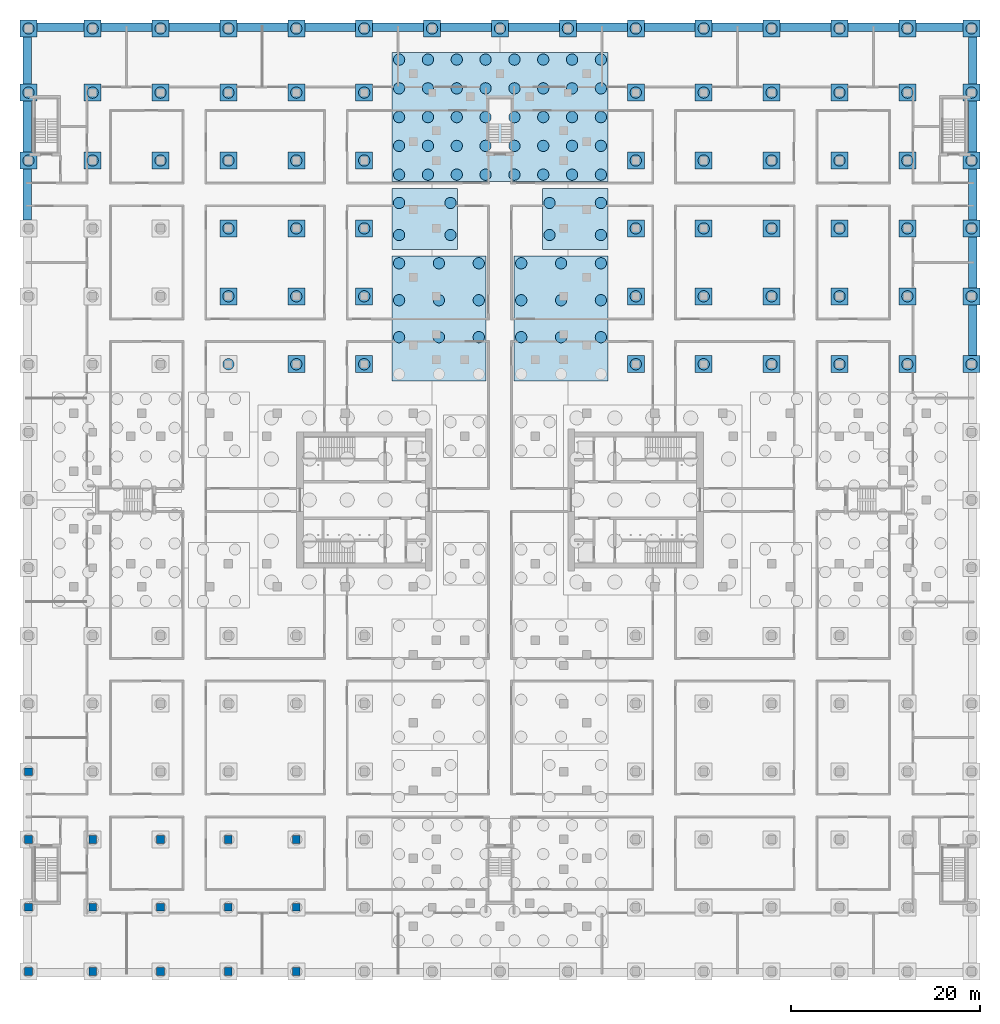
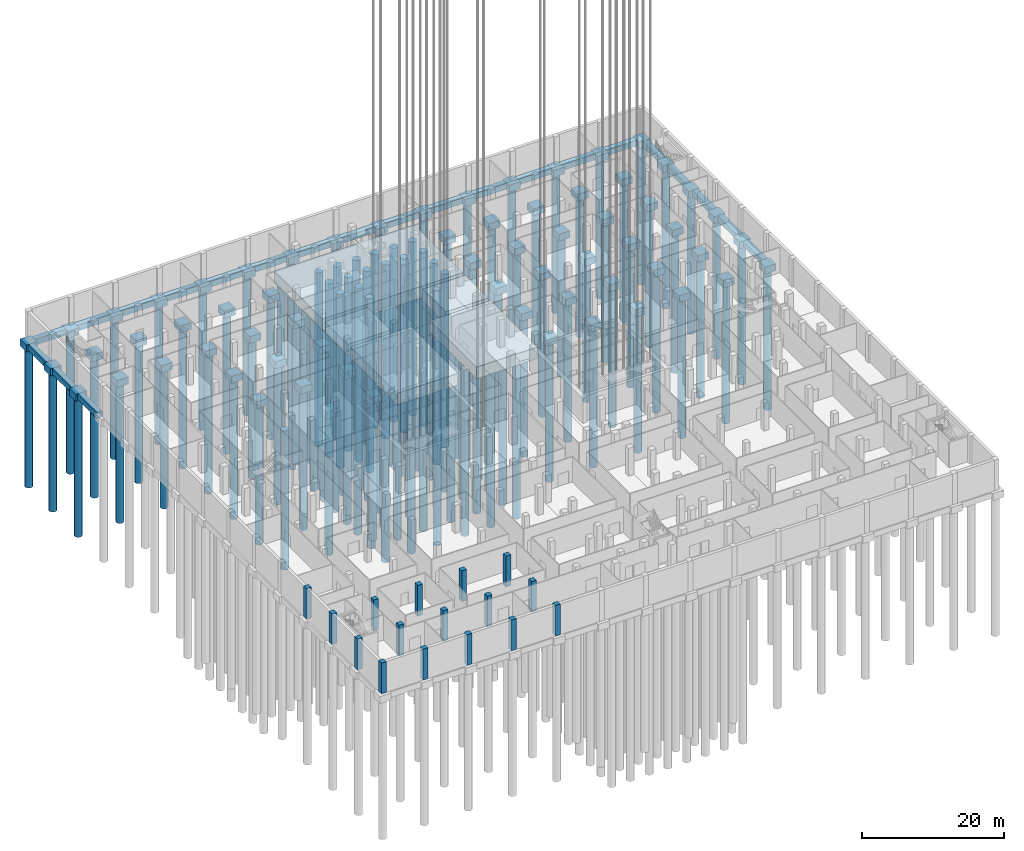
# One storey, part 3 of 54: 132 piles, 92 footings, 16 columns.
"""IFC4 building model written with IfcOpenShell, lengths in metres."""

from ifc_helpers import new_model, si_unit, direction, frame, origin, origin_2d, place, context, subcontext, project, spatial, rectangle, circle, extrude, material, material_profile, profile_set, type_object, element, save


model = new_model("IFC4")

# Units and contexts
model_context = context("Model", 3, precision=1e-05, world=origin(), true_north=direction((0.0, 1.0)))
body_context = subcontext(model_context, "Body", "Model", "MODEL_VIEW")
ifc_project = project(units=[si_unit("LENGTHUNIT", "METRE"), si_unit("AREAUNIT", "SQUARE_METRE"), si_unit("VOLUMEUNIT", "CUBIC_METRE"), si_unit("PLANEANGLEUNIT", "RADIAN"), si_unit("MASSUNIT", "GRAM", prefix="KILO")], contexts=[model_context])

# Site, building, storey
site_placement = place(None, origin())
site = spatial("IfcSite", under=ifc_project, at=site_placement, CompositionType="ELEMENT")
building_placement = place(site_placement, origin())
building = spatial("IfcBuilding", under=site, at=building_placement, Name="Fustian Cross Tower", CompositionType="ELEMENT")
storey_placement = place(building_placement, frame((0.0, 0.0, -4.800048828125)))
storey = spatial("IfcBuildingStorey", under=building, at=storey_placement, Name="B1", CompositionType="ELEMENT", Elevation=-4.800048828125)

# Piles
ifc_material_1 = material(Name="Concrete C40/50", Category="concrete")
ifc_material_profile_1 = material_profile(ifc_material_1, circle(Radius=0.60009765625, at=origin_2d()), Name="BORED PILE D1200 L24000")
ifc_profile_set_1 = profile_set([ifc_material_profile_1], Name="Concrete C40/50")
pile_type_1 = type_object("IfcPileType", Name="BORED PILE D1200 L24000", PredefinedType="BORED", material=ifc_profile_set_1)
for number, where, z_axis, x_axis, name in (
    (1, (-50.0, 36.0, -1.599853515625), (0.0, 0.0, -1.0), (1.0, 0.0, 0.0), "PILE 013-01"),
    (2, (-50.0, 43.199951171875, -1.599853515625), (0.0, 0.0, -1.0), (1.0, 0.0, 0.0), "PILE 014-01"),
    (3, (-50.0, 50.0, -1.599853515625), (0.0, 0.0, -1.0), (1.0, 0.0, 0.0), "PILE 015-01"),
    (4, (-43.199951171875, 36.0, -1.599853515625), (0.0, 0.0, -1.0), (1.0, 0.0, 0.0), "PILE 027-01"),
    (5, (-43.199951171875, 43.199951171875, -1.599853515625), (0.0, 0.0, -1.0), (1.0, 0.0, 0.0), "PILE 028-01"),
    (6, (-43.199951171875, 50.0, -1.599853515625), (0.0, 0.0, -1.0), (1.0, 0.0, 0.0), "PILE 029-01"),
    (7, (-36.0, 36.0, -1.599853515625), (0.0, 0.0, -1.0), (1.0, 0.0, 0.0), "PILE 039-01"),
    (8, (-36.0, 43.199951171875, -1.599853515625), (0.0, 0.0, -1.0), (1.0, 0.0, 0.0), "PILE 040-01"),
    (9, (-36.0, 50.0, -1.599853515625), (0.0, 0.0, -1.0), (1.0, 0.0, 0.0), "PILE 041-01"),
    (10, (-28.800048828125, 14.39990234375, -1.599853515625), (0.0, 0.0, -1.0), (1.0, 0.0, 0.0), "PILE 050-01"),
    (11, (-28.800048828125, 21.60009765625, -1.599853515625), (0.0, 0.0, -1.0), (1.0, 0.0, 0.0), "PILE 051-01"),
    (12, (-28.800048828125, 28.800048828125, -1.599853515625), (0.0, 0.0, -1.0), (1.0, 0.0, 0.0), "PILE 052-01"),
    (13, (-28.800048828125, 36.0, -1.599853515625), (0.0, 0.0, -1.0), (1.0, 0.0, 0.0), "PILE 053-01"),
    (14, (-28.800048828125, 43.199951171875, -1.599853515625), (0.0, 0.0, -1.0), (1.0, 0.0, 0.0), "PILE 054-01"),
    (15, (-28.800048828125, 50.0, -1.599853515625), (0.0, 0.0, -1.0), (1.0, 0.0, 0.0), "PILE 055-01"),
    (16, (-21.60009765625, 14.39990234375, -1.599853515625), (0.0, 0.0, -1.0), (1.0, 0.0, 0.0), "PILE 062-01"),
    (17, (-21.60009765625, 21.60009765625, -1.599853515625), (0.0, 0.0, -1.0), (1.0, 0.0, 0.0), "PILE 063-01"),
    (18, (-21.60009765625, 28.800048828125, -1.599853515625), (0.0, 0.0, -1.0), (1.0, 0.0, 0.0), "PILE 064-01"),
    (19, (-21.60009765625, 36.0, -1.599853515625), (0.0, 0.0, -1.0), (1.0, 0.0, 0.0), "PILE 065-01"),
    (20, (-21.60009765625, 43.199951171875, -1.599853515625), (0.0, 0.0, -1.0), (1.0, 0.0, 0.0), "PILE 066-01"),
    (21, (-21.60009765625, 50.0, -1.599853515625), (0.0, 0.0, -1.0), (1.0, 0.0, 0.0), "PILE 067-01"),
    (22, (-14.39990234375, 14.39990234375, -1.599853515625), (0.0, 0.0, -1.0), (1.0, 0.0, 0.0), "PILE 074-01"),
    (23, (-14.39990234375, 21.60009765625, -1.599853515625), (0.0, 0.0, -1.0), (1.0, 0.0, 0.0), "PILE 075-01"),
    (24, (-14.39990234375, 28.800048828125, -1.599853515625), (0.0, 0.0, -1.0), (1.0, 0.0, 0.0), "PILE 076-01"),
    (25, (-14.39990234375, 36.0, -1.599853515625), (0.0, 0.0, -1.0), (1.0, 0.0, 0.0), "PILE 077-01"),
    (26, (-14.39990234375, 43.199951171875, -1.599853515625), (0.0, 0.0, -1.0), (1.0, 0.0, 0.0), "PILE 078-01"),
    (27, (-14.39990234375, 50.0, -1.599853515625), (0.0, 0.0, -1.0), (1.0, 0.0, 0.0), "PILE 079-01"),
    (28, (-7.199951171875, 50.0, -1.599853515625), (0.0, 0.0, -1.0), (1.0, 0.0, 0.0), "PILE 087-01"),
    (29, (0.0, 50.0, -1.599853515625), (0.0, 0.0, -1.0), (1.0, 0.0, 0.0), "PILE 091-01"),
    (30, (7.199951171875, 50.0, -1.599853515625), (0.0, 0.0, -1.0), (1.0, 0.0, 0.0), "PILE 099-01"),
    (31, (14.39990234375, 14.39990234375, -1.599853515625), (0.0, 0.0, -1.0), (1.0, 0.0, 0.0), "PILE 106-01"),
    (32, (14.39990234375, 21.60009765625, -1.599853515625), (0.0, 0.0, -1.0), (1.0, 0.0, 0.0), "PILE 107-01"),
    (33, (14.39990234375, 28.800048828125, -1.599853515625), (0.0, 0.0, -1.0), (1.0, 0.0, 0.0), "PILE 108-01"),
    (34, (14.39990234375, 36.0, -1.599853515625), (0.0, 0.0, -1.0), (1.0, 0.0, 0.0), "PILE 109-01"),
    (35, (14.39990234375, 43.199951171875, -1.599853515625), (0.0, 0.0, -1.0), (1.0, 0.0, 0.0), "PILE 110-01"),
    (36, (14.39990234375, 50.0, -1.599853515625), (0.0, 0.0, -1.0), (1.0, 0.0, 0.0), "PILE 111-01"),
    (37, (21.60009765625, 14.39990234375, -1.599853515625), (0.0, 0.0, -1.0), (1.0, 0.0, 0.0), "PILE 118-01"),
    (38, (21.60009765625, 21.60009765625, -1.599853515625), (0.0, 0.0, -1.0), (1.0, 0.0, 0.0), "PILE 119-01"),
    (39, (21.60009765625, 28.800048828125, -1.599853515625), (0.0, 0.0, -1.0), (1.0, 0.0, 0.0), "PILE 120-01"),
    (40, (21.60009765625, 36.0, -1.599853515625), (0.0, 0.0, -1.0), (1.0, 0.0, 0.0), "PILE 121-01"),
    (41, (21.60009765625, 43.199951171875, -1.599853515625), (0.0, 0.0, -1.0), (1.0, 0.0, 0.0), "PILE 122-01"),
    (42, (21.60009765625, 50.0, -1.599853515625), (0.0, 0.0, -1.0), (1.0, 0.0, 0.0), "PILE 123-01"),
    (43, (28.800048828125, 14.39990234375, -1.599853515625), (0.0, 0.0, -1.0), (1.0, 0.0, 0.0), "PILE 132-01"),
    (44, (28.800048828125, 21.60009765625, -1.599853515625), (0.0, 0.0, -1.0), (1.0, 0.0, 0.0), "PILE 133-01"),
    (45, (28.800048828125, 28.800048828125, -1.599853515625), (0.0, 0.0, -1.0), (1.0, 0.0, 0.0), "PILE 134-01"),
    (46, (28.800048828125, 36.0, -1.599853515625), (0.0, 0.0, -1.0), (1.0, 0.0, 0.0), "PILE 135-01"),
    (47, (28.800048828125, 43.199951171875, -1.599853515625), (0.0, 0.0, -1.0), (1.0, 0.0, 0.0), "PILE 136-01"),
    (48, (28.800048828125, 50.0, -1.599853515625), (0.0, 0.0, -1.0), (1.0, 0.0, 0.0), "PILE 137-01"),
    (49, (36.0, 14.39990234375, -1.599853515625), (0.0, 0.0, -1.0), (1.0, 0.0, 0.0), "PILE 145-01"),
    (50, (36.0, 21.60009765625, -1.599853515625), (0.0, 0.0, -1.0), (1.0, 0.0, 0.0), "PILE 146-01"),
    (51, (36.0, 28.800048828125, -1.599853515625), (0.0, 0.0, -1.0), (1.0, 0.0, 0.0), "PILE 147-01"),
    (52, (36.0, 36.0, -1.599853515625), (0.0, 0.0, -1.0), (1.0, 0.0, 0.0), "PILE 148-01"),
    (53, (36.0, 43.199951171875, -1.599853515625), (0.0, 0.0, -1.0), (1.0, 0.0, 0.0), "PILE 149-01"),
    (54, (36.0, 50.0, -1.599853515625), (0.0, 0.0, -1.0), (1.0, 0.0, 0.0), "PILE 150-01"),
    (55, (43.199951171875, 14.39990234375, -1.599853515625), (0.0, 0.0, -1.0), (1.0, 0.0, 0.0), "PILE 157-01"),
    (56, (43.199951171875, 21.60009765625, -1.599853515625), (0.0, 0.0, -1.0), (1.0, 0.0, 0.0), "PILE 158-01"),
    (57, (43.199951171875, 28.800048828125, -1.599853515625), (0.0, 0.0, -1.0), (1.0, 0.0, 0.0), "PILE 159-01"),
    (58, (43.199951171875, 36.0, -1.599853515625), (0.0, 0.0, -1.0), (1.0, 0.0, 0.0), "PILE 160-01"),
    (59, (43.199951171875, 43.199951171875, -1.599853515625), (0.0, 0.0, -1.0), (1.0, 0.0, 0.0), "PILE 161-01"),
    (60, (43.199951171875, 50.0, -1.599853515625), (0.0, 0.0, -1.0), (1.0, 0.0, 0.0), "PILE 162-01"),
    (61, (50.0, 14.39990234375, -1.599853515625), (0.0, 0.0, -1.0), (1.0, 0.0, 0.0), "PILE 172-01"),
    (62, (50.0, 21.60009765625, -1.599853515625), (0.0, 0.0, -1.0), (1.0, 0.0, 0.0), "PILE 173-01"),
    (63, (50.0, 28.800048828125, -1.599853515625), (0.0, 0.0, -1.0), (1.0, 0.0, 0.0), "PILE 174-01"),
    (64, (50.0, 36.0, -1.599853515625), (0.0, 0.0, -1.0), (1.0, 0.0, 0.0), "PILE 175-01"),
    (65, (50.0, 43.199951171875, -1.599853515625), (0.0, 0.0, -1.0), (1.0, 0.0, 0.0), "PILE 176-01"),
    (66, (50.0, 50.0, -1.599853515625), (0.0, 0.0, -1.0), (1.0, 0.0, 0.0), "PILE 177-01"),
):
    element("IfcPile", number, at=place(storey_placement, frame(where, z_axis=z_axis, x_axis=x_axis)), inside=storey, type_object=pile_type_1, Name=name, PredefinedType="BORED", context=body_context, shape_type="SweptSolid", body=[
        extrude(circle(Radius=0.60009765625, at=origin_2d()), origin(), (0.0, 0.0, 1.0), 24.0),
    ])
ifc_material_2 = material(Name="Concrete C40/50", Category="concrete")
ifc_material_profile_2 = material_profile(ifc_material_2, circle(Radius=0.60009765625, at=origin_2d()), Name="BORED PILE D1200 L30000")
ifc_profile_set_2 = profile_set([ifc_material_profile_2], Name="Concrete C40/50")
pile_type_2 = type_object("IfcPileType", Name="BORED PILE D1200 L30000", PredefinedType="BORED", material=ifc_profile_set_2)
for number, where, z_axis, x_axis, name in (
    (67, (-10.699951171875, 17.2666015625, -2.39990234375), (0.0, 0.0, -1.0), (1.0, 0.0, 0.0), "PILE 083-02"),
    (68, (-10.699951171875, 21.183349609375, -2.39990234375), (0.0, 0.0, -1.0), (1.0, 0.0, 0.0), "PILE 083-03"),
    (69, (-10.699951171875, 25.10009765625, -2.39990234375), (0.0, 0.0, -1.0), (1.0, 0.0, 0.0), "PILE 083-04"),
    (70, (-6.47509765625, 17.2666015625, -2.39990234375), (0.0, 0.0, -1.0), (1.0, 0.0, 0.0), "PILE 083-06"),
    (71, (-6.47509765625, 21.183349609375, -2.39990234375), (0.0, 0.0, -1.0), (1.0, 0.0, 0.0), "PILE 083-07"),
    (72, (-6.47509765625, 25.10009765625, -2.39990234375), (0.0, 0.0, -1.0), (1.0, 0.0, 0.0), "PILE 083-08"),
    (73, (-2.25, 17.2666015625, -2.39990234375), (0.0, 0.0, -1.0), (1.0, 0.0, 0.0), "PILE 083-10"),
    (74, (-2.25, 21.183349609375, -2.39990234375), (0.0, 0.0, -1.0), (1.0, 0.0, 0.0), "PILE 083-11"),
    (75, (-2.25, 25.10009765625, -2.39990234375), (0.0, 0.0, -1.0), (1.0, 0.0, 0.0), "PILE 083-12"),
    (76, (-10.699951171875, 28.10009765625, -2.39990234375), (0.0, 0.0, -1.0), (1.0, 0.0, 0.0), "PILE 084-01"),
    (77, (-10.699951171875, 31.5, -2.39990234375), (0.0, 0.0, -1.0), (1.0, 0.0, 0.0), "PILE 084-02"),
    (78, (-5.25, 28.10009765625, -2.39990234375), (0.0, 0.0, -1.0), (1.0, 0.0, 0.0), "PILE 084-03"),
    (79, (-5.25, 31.5, -2.39990234375), (0.0, 0.0, -1.0), (1.0, 0.0, 0.0), "PILE 084-04"),
    (80, (-10.699951171875, 34.5, -2.39990234375), (0.0, 0.0, -1.0), (1.0, 0.0, 0.0), "PILE 085-01"),
    (81, (-10.699951171875, 37.550048828125, -2.39990234375), (0.0, 0.0, -1.0), (1.0, 0.0, 0.0), "PILE 085-02"),
    (82, (-10.699951171875, 40.60009765625, -2.39990234375), (0.0, 0.0, -1.0), (1.0, 0.0, 0.0), "PILE 085-03"),
    (83, (-10.699951171875, 43.64990234375, -2.39990234375), (0.0, 0.0, -1.0), (1.0, 0.0, 0.0), "PILE 085-04"),
    (84, (-10.699951171875, 46.699951171875, -2.39990234375), (0.0, 0.0, -1.0), (1.0, 0.0, 0.0), "PILE 085-05"),
    (85, (-7.642822265625, 34.5, -2.39990234375), (0.0, 0.0, -1.0), (1.0, 0.0, 0.0), "PILE 085-06"),
    (86, (-7.642822265625, 37.550048828125, -2.39990234375), (0.0, 0.0, -1.0), (1.0, 0.0, 0.0), "PILE 085-07"),
    (87, (-7.642822265625, 40.60009765625, -2.39990234375), (0.0, 0.0, -1.0), (1.0, 0.0, 0.0), "PILE 085-08"),
    (88, (-7.642822265625, 43.64990234375, -2.39990234375), (0.0, 0.0, -1.0), (1.0, 0.0, 0.0), "PILE 085-09"),
    (89, (-7.642822265625, 46.699951171875, -2.39990234375), (0.0, 0.0, -1.0), (1.0, 0.0, 0.0), "PILE 085-10"),
    (90, (-4.585693359375, 34.5, -2.39990234375), (0.0, 0.0, -1.0), (1.0, 0.0, 0.0), "PILE 085-11"),
    (91, (-4.585693359375, 37.550048828125, -2.39990234375), (0.0, 0.0, -1.0), (1.0, 0.0, 0.0), "PILE 085-12"),
    (92, (-4.585693359375, 40.60009765625, -2.39990234375), (0.0, 0.0, -1.0), (1.0, 0.0, 0.0), "PILE 085-13"),
    (93, (-4.585693359375, 43.64990234375, -2.39990234375), (0.0, 0.0, -1.0), (1.0, 0.0, 0.0), "PILE 085-14"),
    (94, (-4.585693359375, 46.699951171875, -2.39990234375), (0.0, 0.0, -1.0), (1.0, 0.0, 0.0), "PILE 085-15"),
    (95, (-1.528564453125, 34.5, -2.39990234375), (0.0, 0.0, -1.0), (1.0, 0.0, 0.0), "PILE 085-16"),
    (96, (-1.528564453125, 37.550048828125, -2.39990234375), (0.0, 0.0, -1.0), (1.0, 0.0, 0.0), "PILE 085-17"),
    (97, (-1.528564453125, 40.60009765625, -2.39990234375), (0.0, 0.0, -1.0), (1.0, 0.0, 0.0), "PILE 085-18"),
    (98, (-1.528564453125, 43.64990234375, -2.39990234375), (0.0, 0.0, -1.0), (1.0, 0.0, 0.0), "PILE 085-19"),
    (99, (-1.528564453125, 46.699951171875, -2.39990234375), (0.0, 0.0, -1.0), (1.0, 0.0, 0.0), "PILE 085-20"),
    (100, (1.528564453125, 34.5, -2.39990234375), (0.0, 0.0, -1.0), (1.0, 0.0, 0.0), "PILE 085-21"),
    (101, (1.528564453125, 37.550048828125, -2.39990234375), (0.0, 0.0, -1.0), (1.0, 0.0, 0.0), "PILE 085-22"),
    (102, (1.528564453125, 40.60009765625, -2.39990234375), (0.0, 0.0, -1.0), (1.0, 0.0, 0.0), "PILE 085-23"),
    (103, (1.528564453125, 43.64990234375, -2.39990234375), (0.0, 0.0, -1.0), (1.0, 0.0, 0.0), "PILE 085-24"),
    (104, (1.528564453125, 46.699951171875, -2.39990234375), (0.0, 0.0, -1.0), (1.0, 0.0, 0.0), "PILE 085-25"),
    (105, (4.585693359375, 34.5, -2.39990234375), (0.0, 0.0, -1.0), (1.0, 0.0, 0.0), "PILE 085-26"),
    (106, (4.585693359375, 37.550048828125, -2.39990234375), (0.0, 0.0, -1.0), (1.0, 0.0, 0.0), "PILE 085-27"),
    (107, (4.585693359375, 40.60009765625, -2.39990234375), (0.0, 0.0, -1.0), (1.0, 0.0, 0.0), "PILE 085-28"),
    (108, (4.585693359375, 43.64990234375, -2.39990234375), (0.0, 0.0, -1.0), (1.0, 0.0, 0.0), "PILE 085-29"),
    (109, (4.585693359375, 46.699951171875, -2.39990234375), (0.0, 0.0, -1.0), (1.0, 0.0, 0.0), "PILE 085-30"),
    (110, (7.642822265625, 34.5, -2.39990234375), (0.0, 0.0, -1.0), (1.0, 0.0, 0.0), "PILE 085-31"),
    (111, (7.642822265625, 37.550048828125, -2.39990234375), (0.0, 0.0, -1.0), (1.0, 0.0, 0.0), "PILE 085-32"),
    (112, (7.642822265625, 40.60009765625, -2.39990234375), (0.0, 0.0, -1.0), (1.0, 0.0, 0.0), "PILE 085-33"),
    (113, (7.642822265625, 43.64990234375, -2.39990234375), (0.0, 0.0, -1.0), (1.0, 0.0, 0.0), "PILE 085-34"),
    (114, (7.642822265625, 46.699951171875, -2.39990234375), (0.0, 0.0, -1.0), (1.0, 0.0, 0.0), "PILE 085-35"),
    (115, (10.699951171875, 34.5, -2.39990234375), (0.0, 0.0, -1.0), (1.0, 0.0, 0.0), "PILE 085-36"),
    (116, (10.699951171875, 37.550048828125, -2.39990234375), (0.0, 0.0, -1.0), (1.0, 0.0, 0.0), "PILE 085-37"),
    (117, (10.699951171875, 40.60009765625, -2.39990234375), (0.0, 0.0, -1.0), (1.0, 0.0, 0.0), "PILE 085-38"),
    (118, (10.699951171875, 43.64990234375, -2.39990234375), (0.0, 0.0, -1.0), (1.0, 0.0, 0.0), "PILE 085-39"),
    (119, (10.699951171875, 46.699951171875, -2.39990234375), (0.0, 0.0, -1.0), (1.0, 0.0, 0.0), "PILE 085-40"),
    (120, (2.25, 17.2666015625, -2.39990234375), (0.0, 0.0, -1.0), (1.0, 0.0, 0.0), "PILE 095-02"),
    (121, (2.25, 21.183349609375, -2.39990234375), (0.0, 0.0, -1.0), (1.0, 0.0, 0.0), "PILE 095-03"),
    (122, (2.25, 25.10009765625, -2.39990234375), (0.0, 0.0, -1.0), (1.0, 0.0, 0.0), "PILE 095-04"),
    (123, (6.47509765625, 17.2666015625, -2.39990234375), (0.0, 0.0, -1.0), (1.0, 0.0, 0.0), "PILE 095-06"),
    (124, (6.47509765625, 21.183349609375, -2.39990234375), (0.0, 0.0, -1.0), (1.0, 0.0, 0.0), "PILE 095-07"),
    (125, (6.47509765625, 25.10009765625, -2.39990234375), (0.0, 0.0, -1.0), (1.0, 0.0, 0.0), "PILE 095-08"),
    (126, (10.699951171875, 17.2666015625, -2.39990234375), (0.0, 0.0, -1.0), (1.0, 0.0, 0.0), "PILE 095-10"),
    (127, (10.699951171875, 21.183349609375, -2.39990234375), (0.0, 0.0, -1.0), (1.0, 0.0, 0.0), "PILE 095-11"),
    (128, (10.699951171875, 25.10009765625, -2.39990234375), (0.0, 0.0, -1.0), (1.0, 0.0, 0.0), "PILE 095-12"),
    (129, (5.25, 28.10009765625, -2.39990234375), (0.0, 0.0, -1.0), (1.0, 0.0, 0.0), "PILE 097-01"),
    (130, (5.25, 31.5, -2.39990234375), (0.0, 0.0, -1.0), (1.0, 0.0, 0.0), "PILE 097-02"),
    (131, (10.699951171875, 28.10009765625, -2.39990234375), (0.0, 0.0, -1.0), (1.0, 0.0, 0.0), "PILE 097-03"),
    (132, (10.699951171875, 31.5, -2.39990234375), (0.0, 0.0, -1.0), (1.0, 0.0, 0.0), "PILE 097-04"),
):
    element("IfcPile", number, at=place(storey_placement, frame(where, z_axis=z_axis, x_axis=x_axis)), inside=storey, type_object=pile_type_2, Name=name, PredefinedType="BORED", context=body_context, shape_type="SweptSolid", body=[
        extrude(circle(Radius=0.60009765625, at=origin_2d()), origin(), (0.0, 0.0, 1.0), 30.0),
    ])

# Footings
ifc_material_3 = material(Name="Concrete C40/50", Category="concrete")
footing_type_1 = type_object("IfcFootingType", Name="GROUND BEAM 900X1000", PredefinedType="FOOTING_BEAM", material=ifc_material_3)
footing_1_placement = place(storey_placement, frame((-46.60009765625, 50.14990234375, -1.5), z_axis=(0.0, 0.0, 1.0), x_axis=(1.0, 0.0, 0.0)))
element("IfcFooting", 133, at=footing_1_placement, inside=storey, type_object=footing_type_1, Name="GROUND BEAM 15", PredefinedType="FOOTING_BEAM", context=body_context, shape_type="SweptSolid", body=[
    extrude(rectangle(XDim=5.0, YDim=0.89990234375, at=origin_2d()), origin(), (0.0, 0.0, 1.0), 1.0),
])
for number, where, z_axis, x_axis, name in (
    (134, (-39.60009765625, 50.14990234375, -1.5), (0.0, 0.0, 1.0), (1.0, 0.0, 0.0), "GROUND BEAM 16"),
    (135, (-32.39990234375, 50.14990234375, -1.5), (0.0, 0.0, 1.0), (1.0, 0.0, 0.0), "GROUND BEAM 17"),
    (136, (-25.199951171875, 50.14990234375, -1.5), (0.0, 0.0, 1.0), (1.0, 0.0, 0.0), "GROUND BEAM 18"),
    (137, (-18.0, 50.14990234375, -1.5), (0.0, 0.0, 1.0), (1.0, 0.0, 0.0), "GROUND BEAM 19"),
    (138, (-10.800048828125, 50.14990234375, -1.5), (0.0, 0.0, 1.0), (1.0, 0.0, 0.0), "GROUND BEAM 20"),
    (139, (-3.60009765625, 50.14990234375, -1.5), (0.0, 0.0, 1.0), (1.0, 0.0, 0.0), "GROUND BEAM 21"),
    (140, (3.60009765625, 50.14990234375, -1.5), (0.0, 0.0, 1.0), (1.0, 0.0, 0.0), "GROUND BEAM 22"),
    (141, (10.800048828125, 50.14990234375, -1.5), (0.0, 0.0, 1.0), (1.0, 0.0, 0.0), "GROUND BEAM 23"),
    (142, (18.0, 50.14990234375, -1.5), (0.0, 0.0, 1.0), (1.0, 0.0, 0.0), "GROUND BEAM 24"),
    (143, (25.199951171875, 50.14990234375, -1.5), (0.0, 0.0, 1.0), (1.0, 0.0, 0.0), "GROUND BEAM 25"),
    (144, (32.39990234375, 50.14990234375, -1.5), (0.0, 0.0, 1.0), (1.0, 0.0, 0.0), "GROUND BEAM 26"),
    (145, (39.60009765625, 50.14990234375, -1.5), (0.0, 0.0, 1.0), (1.0, 0.0, 0.0), "GROUND BEAM 27"),
):
    element("IfcFooting", number, at=place(storey_placement, frame(where, z_axis=z_axis, x_axis=x_axis)), inside=storey, type_object=footing_type_1, Name=name, PredefinedType="FOOTING_BEAM", context=body_context, shape_type="SweptSolid", body=[
        extrude(rectangle(XDim=5.39990234375, YDim=0.89990234375, at=origin_2d()), origin(), (0.0, 0.0, 1.0), 1.0),
    ])
footing_2_placement = place(storey_placement, frame((46.60009765625, 50.14990234375, -1.5), z_axis=(0.0, 0.0, 1.0), x_axis=(1.0, 0.0, 0.0)))
element("IfcFooting", 146, at=footing_2_placement, inside=storey, type_object=footing_type_1, Name="GROUND BEAM 28", PredefinedType="FOOTING_BEAM", context=body_context, shape_type="SweptSolid", body=[
    extrude(rectangle(XDim=5.0, YDim=0.89990234375, at=origin_2d()), origin(), (0.0, 0.0, 1.0), 1.0),
])
for number, where, z_axis, x_axis, name in (
    (147, (-50.14990234375, 32.39990234375, -1.5), (0.0, 0.0, 1.0), (1.0, 0.0, 0.0), "GROUND BEAM 40"),
    (148, (-50.14990234375, 39.60009765625, -1.5), (0.0, 0.0, 1.0), (1.0, 0.0, 0.0), "GROUND BEAM 41"),
):
    element("IfcFooting", number, at=place(storey_placement, frame(where, z_axis=z_axis, x_axis=x_axis)), inside=storey, type_object=footing_type_1, Name=name, PredefinedType="FOOTING_BEAM", context=body_context, shape_type="SweptSolid", body=[
        extrude(rectangle(XDim=0.89990234375, YDim=5.39990234375, at=origin_2d()), origin(), (0.0, 0.0, 1.0), 1.0),
    ])
footing_3_placement = place(storey_placement, frame((-50.14990234375, 46.60009765625, -1.5), z_axis=(0.0, 0.0, 1.0), x_axis=(1.0, 0.0, 0.0)))
element("IfcFooting", 149, at=footing_3_placement, inside=storey, type_object=footing_type_1, Name="GROUND BEAM 42", PredefinedType="FOOTING_BEAM", context=body_context, shape_type="SweptSolid", body=[
    extrude(rectangle(XDim=0.89990234375, YDim=5.0, at=origin_2d()), origin(), (0.0, 0.0, 1.0), 1.0),
])
for number, where, z_axis, x_axis, name in (
    (150, (50.14990234375, 18.0, -1.5), (0.0, 0.0, 1.0), (1.0, 0.0, 0.0), "GROUND BEAM 52"),
    (151, (50.14990234375, 25.199951171875, -1.5), (0.0, 0.0, 1.0), (1.0, 0.0, 0.0), "GROUND BEAM 53"),
    (152, (50.14990234375, 32.39990234375, -1.5), (0.0, 0.0, 1.0), (1.0, 0.0, 0.0), "GROUND BEAM 54"),
    (153, (50.14990234375, 39.60009765625, -1.5), (0.0, 0.0, 1.0), (1.0, 0.0, 0.0), "GROUND BEAM 55"),
):
    element("IfcFooting", number, at=place(storey_placement, frame(where, z_axis=z_axis, x_axis=x_axis)), inside=storey, type_object=footing_type_1, Name=name, PredefinedType="FOOTING_BEAM", context=body_context, shape_type="SweptSolid", body=[
        extrude(rectangle(XDim=0.89990234375, YDim=5.39990234375, at=origin_2d()), origin(), (0.0, 0.0, 1.0), 1.0),
    ])
footing_4_placement = place(storey_placement, frame((50.14990234375, 46.60009765625, -1.5), z_axis=(0.0, 0.0, 1.0), x_axis=(1.0, 0.0, 0.0)))
element("IfcFooting", 154, at=footing_4_placement, inside=storey, type_object=footing_type_1, Name="GROUND BEAM 56", PredefinedType="FOOTING_BEAM", context=body_context, shape_type="SweptSolid", body=[
    extrude(rectangle(XDim=0.89990234375, YDim=5.0, at=origin_2d()), origin(), (0.0, 0.0, 1.0), 1.0),
])
ifc_material_4 = material(Name="Concrete C40/50", Category="concrete")
footing_type_2 = type_object("IfcFootingType", Name="PILE CAP 1800X1800X1200", PredefinedType="PILE_CAP", material=ifc_material_4)
for number, where, z_axis, x_axis, name in (
    (155, (-50.0, 36.0, -1.69970703125), (0.0, 0.0, 1.0), (1.0, 0.0, 0.0), "PILE CAP 013"),
    (156, (-50.0, 43.199951171875, -1.69970703125), (0.0, 0.0, 1.0), (1.0, 0.0, 0.0), "PILE CAP 014"),
    (157, (-50.0, 50.0, -1.69970703125), (0.0, 0.0, 1.0), (1.0, 0.0, 0.0), "PILE CAP 015"),
    (158, (-43.199951171875, 36.0, -1.69970703125), (0.0, 0.0, 1.0), (1.0, 0.0, 0.0), "PILE CAP 027"),
    (159, (-43.199951171875, 43.199951171875, -1.69970703125), (0.0, 0.0, 1.0), (1.0, 0.0, 0.0), "PILE CAP 028"),
    (160, (-43.199951171875, 50.0, -1.69970703125), (0.0, 0.0, 1.0), (1.0, 0.0, 0.0), "PILE CAP 029"),
    (161, (-36.0, 36.0, -1.69970703125), (0.0, 0.0, 1.0), (1.0, 0.0, 0.0), "PILE CAP 039"),
    (162, (-36.0, 43.199951171875, -1.69970703125), (0.0, 0.0, 1.0), (1.0, 0.0, 0.0), "PILE CAP 040"),
    (163, (-36.0, 50.0, -1.69970703125), (0.0, 0.0, 1.0), (1.0, 0.0, 0.0), "PILE CAP 041"),
    (164, (-28.800048828125, 21.60009765625, -1.69970703125), (0.0, 0.0, 1.0), (1.0, 0.0, 0.0), "PILE CAP 051"),
    (165, (-28.800048828125, 28.800048828125, -1.69970703125), (0.0, 0.0, 1.0), (1.0, 0.0, 0.0), "PILE CAP 052"),
    (166, (-28.800048828125, 36.0, -1.69970703125), (0.0, 0.0, 1.0), (1.0, 0.0, 0.0), "PILE CAP 053"),
    (167, (-28.800048828125, 43.199951171875, -1.69970703125), (0.0, 0.0, 1.0), (1.0, 0.0, 0.0), "PILE CAP 054"),
    (168, (-28.800048828125, 50.0, -1.69970703125), (0.0, 0.0, 1.0), (1.0, 0.0, 0.0), "PILE CAP 055"),
    (169, (-21.60009765625, 14.39990234375, -1.69970703125), (0.0, 0.0, 1.0), (1.0, 0.0, 0.0), "PILE CAP 062"),
    (170, (-21.60009765625, 21.60009765625, -1.69970703125), (0.0, 0.0, 1.0), (1.0, 0.0, 0.0), "PILE CAP 063"),
    (171, (-21.60009765625, 28.800048828125, -1.69970703125), (0.0, 0.0, 1.0), (1.0, 0.0, 0.0), "PILE CAP 064"),
    (172, (-21.60009765625, 36.0, -1.69970703125), (0.0, 0.0, 1.0), (1.0, 0.0, 0.0), "PILE CAP 065"),
    (173, (-21.60009765625, 43.199951171875, -1.69970703125), (0.0, 0.0, 1.0), (1.0, 0.0, 0.0), "PILE CAP 066"),
    (174, (-21.60009765625, 50.0, -1.69970703125), (0.0, 0.0, 1.0), (1.0, 0.0, 0.0), "PILE CAP 067"),
    (175, (-14.39990234375, 14.39990234375, -1.69970703125), (0.0, 0.0, 1.0), (1.0, 0.0, 0.0), "PILE CAP 074"),
    (176, (-14.39990234375, 21.60009765625, -1.69970703125), (0.0, 0.0, 1.0), (1.0, 0.0, 0.0), "PILE CAP 075"),
    (177, (-14.39990234375, 28.800048828125, -1.69970703125), (0.0, 0.0, 1.0), (1.0, 0.0, 0.0), "PILE CAP 076"),
    (178, (-14.39990234375, 36.0, -1.69970703125), (0.0, 0.0, 1.0), (1.0, 0.0, 0.0), "PILE CAP 077"),
    (179, (-14.39990234375, 43.199951171875, -1.69970703125), (0.0, 0.0, 1.0), (1.0, 0.0, 0.0), "PILE CAP 078"),
    (180, (-14.39990234375, 50.0, -1.69970703125), (0.0, 0.0, 1.0), (1.0, 0.0, 0.0), "PILE CAP 079"),
    (181, (-7.199951171875, 50.0, -1.69970703125), (0.0, 0.0, 1.0), (1.0, 0.0, 0.0), "PILE CAP 087"),
    (182, (0.0, 50.0, -1.69970703125), (0.0, 0.0, 1.0), (1.0, 0.0, 0.0), "PILE CAP 091"),
    (183, (7.199951171875, 50.0, -1.69970703125), (0.0, 0.0, 1.0), (1.0, 0.0, 0.0), "PILE CAP 099"),
    (184, (14.39990234375, 14.39990234375, -1.69970703125), (0.0, 0.0, 1.0), (1.0, 0.0, 0.0), "PILE CAP 106"),
    (185, (14.39990234375, 21.60009765625, -1.69970703125), (0.0, 0.0, 1.0), (1.0, 0.0, 0.0), "PILE CAP 107"),
    (186, (14.39990234375, 28.800048828125, -1.69970703125), (0.0, 0.0, 1.0), (1.0, 0.0, 0.0), "PILE CAP 108"),
    (187, (14.39990234375, 36.0, -1.69970703125), (0.0, 0.0, 1.0), (1.0, 0.0, 0.0), "PILE CAP 109"),
    (188, (14.39990234375, 43.199951171875, -1.69970703125), (0.0, 0.0, 1.0), (1.0, 0.0, 0.0), "PILE CAP 110"),
    (189, (14.39990234375, 50.0, -1.69970703125), (0.0, 0.0, 1.0), (1.0, 0.0, 0.0), "PILE CAP 111"),
    (190, (21.60009765625, 14.39990234375, -1.69970703125), (0.0, 0.0, 1.0), (1.0, 0.0, 0.0), "PILE CAP 118"),
    (191, (21.60009765625, 21.60009765625, -1.69970703125), (0.0, 0.0, 1.0), (1.0, 0.0, 0.0), "PILE CAP 119"),
    (192, (21.60009765625, 28.800048828125, -1.69970703125), (0.0, 0.0, 1.0), (1.0, 0.0, 0.0), "PILE CAP 120"),
    (193, (21.60009765625, 36.0, -1.69970703125), (0.0, 0.0, 1.0), (1.0, 0.0, 0.0), "PILE CAP 121"),
    (194, (21.60009765625, 43.199951171875, -1.69970703125), (0.0, 0.0, 1.0), (1.0, 0.0, 0.0), "PILE CAP 122"),
    (195, (21.60009765625, 50.0, -1.69970703125), (0.0, 0.0, 1.0), (1.0, 0.0, 0.0), "PILE CAP 123"),
    (196, (28.800048828125, 14.39990234375, -1.69970703125), (0.0, 0.0, 1.0), (1.0, 0.0, 0.0), "PILE CAP 132"),
    (197, (28.800048828125, 21.60009765625, -1.69970703125), (0.0, 0.0, 1.0), (1.0, 0.0, 0.0), "PILE CAP 133"),
    (198, (28.800048828125, 28.800048828125, -1.69970703125), (0.0, 0.0, 1.0), (1.0, 0.0, 0.0), "PILE CAP 134"),
    (199, (28.800048828125, 36.0, -1.69970703125), (0.0, 0.0, 1.0), (1.0, 0.0, 0.0), "PILE CAP 135"),
    (200, (28.800048828125, 43.199951171875, -1.69970703125), (0.0, 0.0, 1.0), (1.0, 0.0, 0.0), "PILE CAP 136"),
    (201, (28.800048828125, 50.0, -1.69970703125), (0.0, 0.0, 1.0), (1.0, 0.0, 0.0), "PILE CAP 137"),
    (202, (36.0, 14.39990234375, -1.69970703125), (0.0, 0.0, 1.0), (1.0, 0.0, 0.0), "PILE CAP 145"),
    (203, (36.0, 21.60009765625, -1.69970703125), (0.0, 0.0, 1.0), (1.0, 0.0, 0.0), "PILE CAP 146"),
    (204, (36.0, 28.800048828125, -1.69970703125), (0.0, 0.0, 1.0), (1.0, 0.0, 0.0), "PILE CAP 147"),
    (205, (36.0, 36.0, -1.69970703125), (0.0, 0.0, 1.0), (1.0, 0.0, 0.0), "PILE CAP 148"),
    (206, (36.0, 43.199951171875, -1.69970703125), (0.0, 0.0, 1.0), (1.0, 0.0, 0.0), "PILE CAP 149"),
    (207, (36.0, 50.0, -1.69970703125), (0.0, 0.0, 1.0), (1.0, 0.0, 0.0), "PILE CAP 150"),
    (208, (43.199951171875, 14.39990234375, -1.69970703125), (0.0, 0.0, 1.0), (1.0, 0.0, 0.0), "PILE CAP 157"),
    (209, (43.199951171875, 21.60009765625, -1.69970703125), (0.0, 0.0, 1.0), (1.0, 0.0, 0.0), "PILE CAP 158"),
    (210, (43.199951171875, 28.800048828125, -1.69970703125), (0.0, 0.0, 1.0), (1.0, 0.0, 0.0), "PILE CAP 159"),
    (211, (43.199951171875, 36.0, -1.69970703125), (0.0, 0.0, 1.0), (1.0, 0.0, 0.0), "PILE CAP 160"),
    (212, (43.199951171875, 43.199951171875, -1.69970703125), (0.0, 0.0, 1.0), (1.0, 0.0, 0.0), "PILE CAP 161"),
    (213, (43.199951171875, 50.0, -1.69970703125), (0.0, 0.0, 1.0), (1.0, 0.0, 0.0), "PILE CAP 162"),
    (214, (50.0, 14.39990234375, -1.69970703125), (0.0, 0.0, 1.0), (1.0, 0.0, 0.0), "PILE CAP 172"),
    (215, (50.0, 21.60009765625, -1.69970703125), (0.0, 0.0, 1.0), (1.0, 0.0, 0.0), "PILE CAP 173"),
    (216, (50.0, 28.800048828125, -1.69970703125), (0.0, 0.0, 1.0), (1.0, 0.0, 0.0), "PILE CAP 174"),
    (217, (50.0, 36.0, -1.69970703125), (0.0, 0.0, 1.0), (1.0, 0.0, 0.0), "PILE CAP 175"),
    (218, (50.0, 43.199951171875, -1.69970703125), (0.0, 0.0, 1.0), (1.0, 0.0, 0.0), "PILE CAP 176"),
    (219, (50.0, 50.0, -1.69970703125), (0.0, 0.0, 1.0), (1.0, 0.0, 0.0), "PILE CAP 177"),
):
    element("IfcFooting", number, at=place(storey_placement, frame(where, z_axis=z_axis, x_axis=x_axis)), inside=storey, type_object=footing_type_2, Name=name, PredefinedType="PILE_CAP", context=body_context, shape_type="SweptSolid", body=[
        extrude(rectangle(XDim=1.800048828125, YDim=1.800048828125, at=origin_2d()), origin(), (0.0, 0.0, 1.0), 1.199951171875),
    ])
ifc_material_5 = material(Name="Concrete C40/50", Category="concrete")
footing_type_3 = type_object("IfcFootingType", Name="PILE CAP 22900X13700X2000", PredefinedType="PILE_CAP", material=ifc_material_5)
footing_5_placement = place(storey_placement, frame((0.0, 40.60009765625, -2.5), z_axis=(0.0, 0.0, 1.0), x_axis=(1.0, 0.0, 0.0)))
element("IfcFooting", 220, at=footing_5_placement, inside=storey, type_object=footing_type_3, Name="PILE CAP 085", PredefinedType="PILE_CAP", context=body_context, shape_type="SweptSolid", body=[
    extrude(rectangle(XDim=22.89990234375, YDim=13.699951171875, at=origin_2d()), origin(), (0.0, 0.0, 1.0), 2.0),
])
ifc_material_6 = material(Name="Concrete C40/50", Category="concrete")
footing_type_4 = type_object("IfcFootingType", Name="PILE CAP 6950X6500X2000", PredefinedType="PILE_CAP", material=ifc_material_6)
for number, where, z_axis, x_axis, name in (
    (221, (-7.97509765625, 29.800048828125, -2.5), (0.0, 0.0, 1.0), (1.0, 0.0, 0.0), "PILE CAP 084"),
    (222, (7.97509765625, 29.800048828125, -2.5), (0.0, 0.0, 1.0), (1.0, 0.0, 0.0), "PILE CAP 097"),
):
    element("IfcFooting", number, at=place(storey_placement, frame(where, z_axis=z_axis, x_axis=x_axis)), inside=storey, type_object=footing_type_4, Name=name, PredefinedType="PILE_CAP", context=body_context, shape_type="SweptSolid", body=[
        extrude(rectangle(XDim=6.949951171875, YDim=6.5, at=origin_2d()), origin(), (0.0, 0.0, 1.0), 2.0),
    ])
ifc_material_7 = material(Name="Concrete C40/50", Category="concrete")
footing_type_5 = type_object("IfcFootingType", Name="PILE CAP 9950X13250X2000", PredefinedType="PILE_CAP", material=ifc_material_7)
for number, where, z_axis, x_axis, name in (
    (223, (-6.47509765625, 19.22509765625, -2.5), (0.0, 0.0, 1.0), (1.0, 0.0, 0.0), "PILE CAP 083"),
    (224, (6.47509765625, 19.22509765625, -2.5), (0.0, 0.0, 1.0), (1.0, 0.0, 0.0), "PILE CAP 095"),
):
    element("IfcFooting", number, at=place(storey_placement, frame(where, z_axis=z_axis, x_axis=x_axis)), inside=storey, type_object=footing_type_5, Name=name, PredefinedType="PILE_CAP", context=body_context, shape_type="SweptSolid", body=[
        extrude(rectangle(XDim=9.949951171875, YDim=13.25, at=origin_2d()), origin(), (0.0, 0.0, 1.0), 2.0),
    ])

# Columns
ifc_material_8 = material(Name="Concrete C50/60", Category="concrete")
ifc_material_profile_3 = material_profile(ifc_material_8, rectangle(XDim=0.800048828125, YDim=0.800048828125, at=origin_2d()), Name="RC 800x800")
ifc_profile_set_3 = profile_set([ifc_material_profile_3], Name="Concrete C50/60")
column_type = type_object("IfcColumnType", Name="COLUMN RC 800x800 C50/60", PredefinedType="COLUMN", material=ifc_profile_set_3)
for number, where, z_axis, x_axis, name in (
    (225, (-50.0, -50.0, -0.5), (0.0, 0.0, 1.0), (1.0, 0.0, 0.0), "COLUMN 065"),
    (226, (-50.0, -43.199951171875, -0.5), (0.0, 0.0, 1.0), (1.0, 0.0, 0.0), "COLUMN 066"),
    (227, (-50.0, -36.0, -0.5), (0.0, 0.0, 1.0), (1.0, 0.0, 0.0), "COLUMN 067"),
    (228, (-50.0, -28.800048828125, -0.5), (0.0, 0.0, 1.0), (1.0, 0.0, 0.0), "COLUMN 068"),
    (229, (-43.199951171875, -50.0, -0.5), (0.0, 0.0, 1.0), (1.0, 0.0, 0.0), "COLUMN 080"),
    (230, (-43.199951171875, -43.199951171875, -0.5), (0.0, 0.0, 1.0), (1.0, 0.0, 0.0), "COLUMN 081"),
    (231, (-43.199951171875, -36.0, -0.5), (0.0, 0.0, 1.0), (1.0, 0.0, 0.0), "COLUMN 082"),
    (232, (-36.0, -50.0, -0.5), (0.0, 0.0, 1.0), (1.0, 0.0, 0.0), "COLUMN 094"),
    (233, (-36.0, -43.199951171875, -0.5), (0.0, 0.0, 1.0), (1.0, 0.0, 0.0), "COLUMN 095"),
    (234, (-36.0, -36.0, -0.5), (0.0, 0.0, 1.0), (1.0, 0.0, 0.0), "COLUMN 096"),
    (235, (-28.800048828125, -50.0, -0.5), (0.0, 0.0, 1.0), (1.0, 0.0, 0.0), "COLUMN 106"),
    (236, (-28.800048828125, -43.199951171875, -0.5), (0.0, 0.0, 1.0), (1.0, 0.0, 0.0), "COLUMN 107"),
    (237, (-28.800048828125, -36.0, -0.5), (0.0, 0.0, 1.0), (1.0, 0.0, 0.0), "COLUMN 108"),
    (238, (-21.60009765625, -50.0, -0.5), (0.0, 0.0, 1.0), (1.0, 0.0, 0.0), "COLUMN 118"),
    (239, (-21.60009765625, -43.199951171875, -0.5), (0.0, 0.0, 1.0), (1.0, 0.0, 0.0), "COLUMN 119"),
    (240, (-21.60009765625, -36.0, -0.5), (0.0, 0.0, 1.0), (1.0, 0.0, 0.0), "COLUMN 120"),
):
    element("IfcColumn", number, at=place(storey_placement, frame(where, z_axis=z_axis, x_axis=x_axis)), inside=storey, type_object=column_type, Name=name, PredefinedType="COLUMN", context=body_context, shape_type="SweptSolid", body=[
        extrude(rectangle(XDim=0.800048828125, YDim=0.800048828125, at=origin_2d()), origin(), (0.0, 0.0, 1.0), 5.300048828125),
    ])

save(model, "model.ifc")
